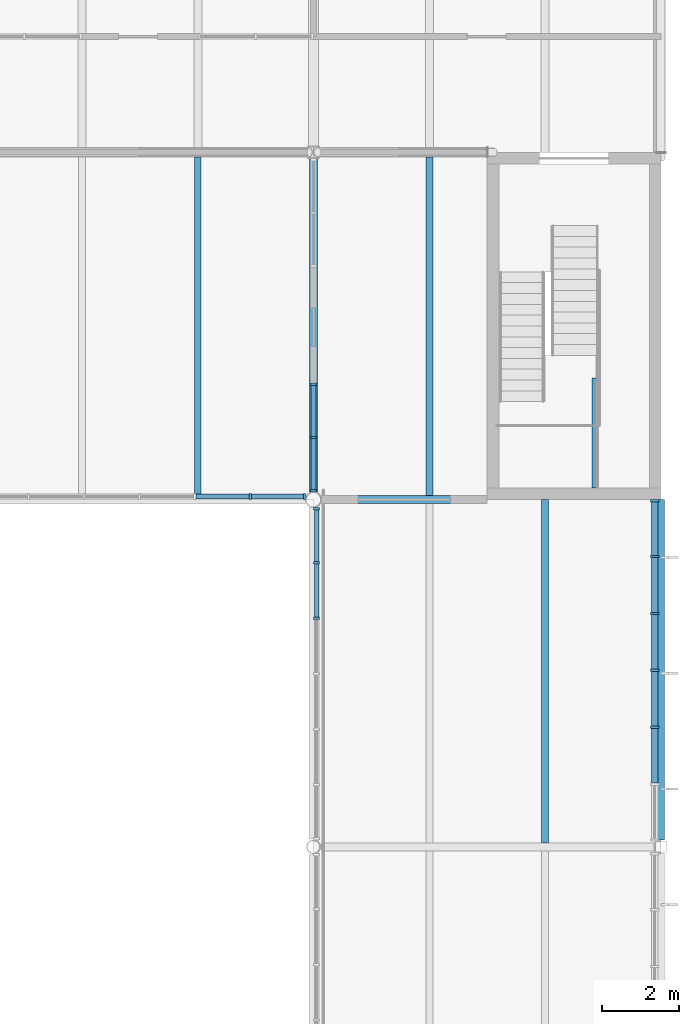
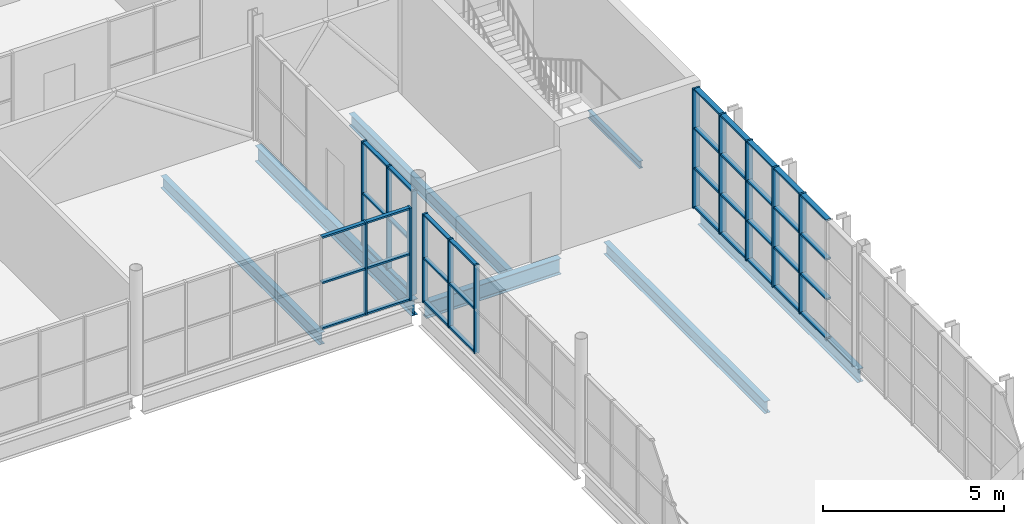
# One storey, part 20 of 57: 51 members, 7 beams, 4 elements without a shape of their own.
"""IFC4 building model written with IfcOpenShell, lengths in metres."""

import ifcopenshell
import ifcopenshell.guid

model = None  # the IFC model being written
_history = None  # IfcOwnerHistory: only IFC2X3 demands one
_inside = {}  # id of a spatial element -> (the spatial element, [elements in it])
_under = {}  # id of a project, library or spatial element -> (it, [spatial elements below it])
_declared = {}  # id of a project -> (the project, [libraries it declares])
_typed = {}  # id of a type object -> (the type object, [elements of that type])
_made_of = {}  # id of a material, layer set ... -> (it, [elements and type objects made of it])


def new_model(schema):
    """Start an empty IFC model of exactly this schema.

    Asked for "IFC4X3", IfcOpenShell would pick the latest addendum, in which some entities
    have other attributes; the version numbers below select the first issue.
    IFC2X3 requires an IfcOwnerHistory on every rooted entity: one is made here for all.
    """
    global model, _history
    if schema == "IFC4X3":
        model = ifcopenshell.file(schema_version=(4, 3, 0, 0))
    else:
        model = ifcopenshell.file(schema=schema)
    _inside.clear()
    _under.clear()
    _declared.clear()
    _typed.clear()
    _made_of.clear()
    _history = None
    if model.schema == "IFC2X3":
        org = make("IfcOrganization", Name="unknown")
        user = make(
            "IfcPersonAndOrganization",
            ThePerson=make("IfcPerson", FamilyName="unknown"),
            TheOrganization=org,
        )
        app = make(
            "IfcApplication",
            ApplicationDeveloper=org,
            Version="unknown",
            ApplicationFullName="unknown",
            ApplicationIdentifier="unknown",
        )
        _history = make(
            "IfcOwnerHistory",
            OwningUser=user,
            OwningApplication=app,
            ChangeAction="ADDED",
            CreationDate=0,
        )
    return model


def make(cls, **values):
    """One entity of the class cls with the attributes given. An attribute that is None is left unset."""
    return model.create_entity(
        cls, **{name: value for name, value in values.items() if value is not None}
    )


def rooted(cls, **values):
    """An entity with a GlobalId (a new one), such as an element, a storey or a relation."""
    return make(cls, GlobalId=ifcopenshell.guid.new(), OwnerHistory=_history, **values)


def si_unit(unit_type, name, prefix=None):
    """IfcSIUnit, for example si_unit("LENGTHUNIT", "METRE", prefix="MILLI")."""
    return make("IfcSIUnit", UnitType=unit_type, Prefix=prefix, Name=name)


def assignment(units):
    """IfcUnitAssignment: the units of a project."""
    return None if units is None else make("IfcUnitAssignment", Units=units)


def point(xyz):
    """IfcCartesianPoint."""
    return None if xyz is None else make("IfcCartesianPoint", Coordinates=xyz)


def direction(xyz):
    """IfcDirection."""
    return None if xyz is None else make("IfcDirection", DirectionRatios=xyz)


def frame(location, z_axis=None, x_axis=None):
    """IfcAxis2Placement3D, a coordinate frame: its origin and axes. An axis left out is left unset."""
    return make(
        "IfcAxis2Placement3D",
        Location=point(location),
        Axis=direction(z_axis),
        RefDirection=direction(x_axis),
    )


def frame_2d(location, x_axis=None):
    """IfcAxis2Placement2D, a coordinate frame in the plane: its origin and x axis."""
    return make(
        "IfcAxis2Placement2D", Location=point(location), RefDirection=direction(x_axis)
    )


def origin():
    """The frame at (0, 0, 0) with its axes left unset."""
    return frame((0.0, 0.0, 0.0))


def origin_2d():
    """The frame at (0, 0) in the plane with its x axis left unset."""
    return frame_2d((0.0, 0.0))


def place(relative_to, where):
    """IfcLocalPlacement: puts the frame where relative to a parent placement (None: the world)."""
    return make(
        "IfcLocalPlacement", PlacementRelTo=relative_to, RelativePlacement=where
    )


def context(
    kind, dimensions, precision=None, world=None, true_north=None, identifier=None
):
    """IfcGeometricRepresentationContext, for example the 3D "Model" context."""
    return make(
        "IfcGeometricRepresentationContext",
        ContextIdentifier=identifier,
        ContextType=kind,
        CoordinateSpaceDimension=dimensions,
        Precision=precision,
        WorldCoordinateSystem=world,
        TrueNorth=true_north,
    )


def subcontext(parent, identifier, kind, view, scale=None):
    """IfcGeometricRepresentationSubContext, for example "Body" below "Model"."""
    return make(
        "IfcGeometricRepresentationSubContext",
        ContextIdentifier=identifier,
        ContextType=kind,
        ParentContext=parent,
        TargetScale=scale,
        TargetView=view,
    )


def project(units=None, contexts=None):
    """IfcProject with its units and contexts."""
    return rooted(
        "IfcProject",
        Name="project",
        RepresentationContexts=contexts,
        UnitsInContext=assignment(units),
    )


def spatial(cls, under=None, at=None, **own):
    """A site, building, storey or space (cls), placed at a placement, below another one or the project."""
    s = rooted(cls, ObjectPlacement=at, **own)
    if under is not None:
        _under.setdefault(under.id(), (under, []))[1].append(s)
    return s


def profile(cls, at=None, kind="AREA", **sizes):
    """A parametric profile (cls). Its sizes go by their IFC names, for example OverallWidth=200.0."""
    return make(cls, ProfileType=kind, Position=at, **sizes)


def rectangle(**sizes):
    """IfcRectangleProfileDef."""
    return profile("IfcRectangleProfileDef", **sizes)


def i_section(**sizes):
    """IfcIShapeProfileDef."""
    return profile("IfcIShapeProfileDef", **sizes)


def extrude(swept, where, along, depth):
    """IfcExtrudedAreaSolid: the profile swept, set in the frame where, extruded along a direction by depth."""
    return make(
        "IfcExtrudedAreaSolid",
        SweptArea=swept,
        Position=where,
        ExtrudedDirection=direction(along),
        Depth=depth,
    )


def shape(context_of_items, identifier, shape_type, items):
    """IfcShapeRepresentation: the items that make up one representation, for example the "Body"."""
    return make(
        "IfcShapeRepresentation",
        ContextOfItems=context_of_items,
        RepresentationIdentifier=identifier,
        RepresentationType=shape_type,
        Items=items,
    )


def material(Name=None, Category=None):
    """IfcMaterial."""
    return make("IfcMaterial", Name=Name, Category=Category)


def layer(
    of_material, thickness, ventilated=None, Name=None, Category=None, Priority=None
):
    """IfcMaterialLayer: one layer of a wall or slab, of a material (None: an air gap)."""
    return make(
        "IfcMaterialLayer",
        Material=of_material,
        LayerThickness=thickness,
        IsVentilated=ventilated,
        Name=Name,
        Category=Category,
        Priority=Priority,
    )


def layer_set(layers, Name=None):
    """IfcMaterialLayerSet."""
    return make("IfcMaterialLayerSet", MaterialLayers=layers, LayerSetName=Name)


def material_profile(
    of_material, cross_section, Name=None, Category=None, Priority=None
):
    """IfcMaterialProfile: a cross section and its material."""
    return make(
        "IfcMaterialProfile",
        Name=Name,
        Material=of_material,
        Profile=cross_section,
        Priority=Priority,
        Category=Category,
    )


def profile_set(profiles, Name=None, composite=None):
    """IfcMaterialProfileSet."""
    return make(
        "IfcMaterialProfileSet",
        Name=Name,
        MaterialProfiles=profiles,
        CompositeProfile=composite,
    )


def made_of(thing, what):
    """Note that an element or type object is made of a material, layer set ...; save() writes the relation."""
    if what is not None:
        _made_of.setdefault(what.id(), (what, []))[1].append(thing)
    return thing


def type_object(cls, material=None, **own):
    """A type object (cls), such as IfcWallType, which elements share."""
    return made_of(rooted(cls, **own), material)


def element(
    cls,
    number,
    at=None,
    inside=None,
    cuts=None,
    type_object=None,
    material=None,
    context=None,
    identifier="Body",
    shape_type=None,
    held_by="IfcProductDefinitionShape",
    body=None,
    shapes=None,
    **own,
):
    """One element of the class cls, such as IfcWall. Its Tag is "e" and its number.

    at: its placement. inside: the storey or other place that contains it. cuts: it is an
    opening in that element (IfcRelVoidsElement). A single representation is given by context,
    identifier, shape_type and body (its items); several are given by shapes. held_by: the class
    of the entity that holds the representations. save() writes the other relations.
    """
    e = rooted(cls, Tag="e%d" % number, ObjectPlacement=at, **own)
    if body is not None:
        shapes = [shape(context, identifier, shape_type, body)]
    if shapes is not None:
        e.Representation = make(held_by, Representations=shapes)
    if inside is not None:
        _inside.setdefault(inside.id(), (inside, []))[1].append(e)
    if cuts is not None:
        rooted(
            "IfcRelVoidsElement", RelatingBuildingElement=cuts, RelatedOpeningElement=e
        )
    if type_object is not None:
        _typed.setdefault(type_object.id(), (type_object, []))[1].append(e)
    return made_of(e, material)


def aggregate(whole, parts):
    """IfcRelAggregates: a whole, such as a stair, and the parts it consists of."""
    return rooted("IfcRelAggregates", RelatingObject=whole, RelatedObjects=parts)


def save(model, path):
    """Write the relations noted so far, then the file.

    IfcRelAggregates (storeys below a building ...), IfcRelContainedInSpatialStructure (elements
    in a storey), IfcRelDefinesByType, IfcRelAssociatesMaterial and IfcRelDeclares: one each for
    every whole, place, type object, material and project.
    """
    for whole, parts in _under.values():
        aggregate(whole, parts)
    for where, things in _inside.values():
        rooted(
            "IfcRelContainedInSpatialStructure",
            RelatedElements=things,
            RelatingStructure=where,
        )
    for kind, things in _typed.values():
        rooted("IfcRelDefinesByType", RelatedObjects=things, RelatingType=kind)
    for what, things in _made_of.values():
        rooted("IfcRelAssociatesMaterial", RelatedObjects=things, RelatingMaterial=what)
    for by, libraries in _declared.values():
        rooted("IfcRelDeclares", RelatingContext=by, RelatedDefinitions=libraries)
    model.write(path)


model = new_model("IFC4")

# Units and contexts
model_context = context("Model", 3, precision=1e-05, world=origin(), true_north=direction((0.0, 1.0)))
body_context = subcontext(model_context, "Body", "Model", "MODEL_VIEW")
ifc_project = project(units=[si_unit("LENGTHUNIT", "METRE"), si_unit("AREAUNIT", "SQUARE_METRE"), si_unit("VOLUMEUNIT", "CUBIC_METRE"), si_unit("PLANEANGLEUNIT", "RADIAN"), si_unit("MASSUNIT", "GRAM", prefix="KILO")], contexts=[model_context])

# Site, building, storey
site_placement = place(None, origin())
site = spatial("IfcSite", under=ifc_project, at=site_placement, CompositionType="ELEMENT")
building_placement = place(site_placement, origin())
building = spatial("IfcBuilding", under=site, at=building_placement, Name="Halyard Row Museum", CompositionType="ELEMENT")
storey_placement = place(building_placement, frame((0.0, 0.0, 5.0)))
storey = spatial("IfcBuildingStorey", under=building, at=storey_placement, Name="L01", CompositionType="ELEMENT", Elevation=5.0)

# Curtain wall, members
ifc_material_1 = material(Name="Double glazed unit, low-emissivity", Category="glass")
ifc_layer_1 = layer(ifc_material_1, 0.219970703125)
ifc_layer_set_1 = layer_set([ifc_layer_1], Name="Double glazed unit, low-emissivity")
curtain_wall_type_1 = type_object("IfcCurtainWallType", Name="Curtain wall unitised 220 deep", PredefinedType="NOTDEFINED", material=ifc_layer_set_1)
curtain_wall_1_placement = place(storey_placement, origin())
curtain_wall_1 = element("IfcCurtainWall", 1, at=curtain_wall_1_placement, inside=storey, type_object=curtain_wall_type_1, Name="Curtain wall CW021", PredefinedType="NOTDEFINED")
ifc_material_2 = material(Name="Powder-coated aluminium section", Category="aluminium")
ifc_material_profile_1 = material_profile(ifc_material_2, rectangle(XDim=0.219970703125, YDim=0.06005859375, at=origin_2d()), Name="220x60 mullion")
ifc_profile_set_1 = profile_set([ifc_material_profile_1], Name="Powder-coated aluminium section")
member_type_1 = type_object("IfcMemberType", Name="Curtain wall mullion CM3 60 x 220", PredefinedType="MULLION", material=ifc_profile_set_1)
member_1_placement = place(storey_placement, frame((107.840087890625, 21.10009765625, 0.0), z_axis=(0.0, 0.0, 1.0), x_axis=(-1.0, 0.0, 0.0)))
member_1 = element("IfcMember", 2, at=member_1_placement, type_object=member_type_1, Name="CW021 mullion 3", PredefinedType="MULLION", context=body_context, shape_type="SweptSolid", body=[
    extrude(rectangle(XDim=0.219970703125, YDim=0.06005859375, at=origin_2d()), origin(), (0.0, 0.0, 1.0), 4.034912109375),
])
member_2_placement = place(storey_placement, frame((107.840087890625, 22.574951171875, 0.0), z_axis=(0.0, 0.0, 1.0), x_axis=(-1.0, 0.0, 0.0)))
member_2 = element("IfcMember", 3, at=member_2_placement, type_object=member_type_1, Name="CW021 mullion 4", PredefinedType="MULLION", context=body_context, shape_type="SweptSolid", body=[
    extrude(rectangle(XDim=0.219970703125, YDim=0.06005859375, at=origin_2d()), origin(), (0.0, 0.0, 1.0), 4.034912109375),
])
member_3_placement = place(storey_placement, frame((107.840087890625, 24.050048828125, 0.0), z_axis=(0.0, 0.0, 1.0), x_axis=(-1.0, 0.0, 0.0)))
member_3 = element("IfcMember", 4, at=member_3_placement, type_object=member_type_1, Name="CW021 mullion 5", PredefinedType="MULLION", context=body_context, shape_type="SweptSolid", body=[
    extrude(rectangle(XDim=0.219970703125, YDim=0.06005859375, at=origin_2d()), origin(), (0.0, 0.0, 1.0), 4.034912109375),
])
member_4_placement = place(storey_placement, frame((107.840087890625, 25.52490234375, 0.0), z_axis=(0.0, 0.0, 1.0), x_axis=(-1.0, 0.0, 0.0)))
member_4 = element("IfcMember", 5, at=member_4_placement, type_object=member_type_1, Name="CW021 mullion 6", PredefinedType="MULLION", context=body_context, shape_type="SweptSolid", body=[
    extrude(rectangle(XDim=0.219970703125, YDim=0.06005859375, at=origin_2d()), origin(), (0.0, 0.0, 1.0), 4.034912109375),
])
member_5_placement = place(storey_placement, frame((107.840087890625, 26.969970703125, 0.0), z_axis=(0.0, 0.0, 1.0), x_axis=(-1.0, 0.0, 0.0)))
member_5 = element("IfcMember", 6, at=member_5_placement, type_object=member_type_1, Name="CW021 mullion 7", PredefinedType="MULLION", context=body_context, shape_type="SweptSolid", body=[
    extrude(rectangle(XDim=0.219970703125, YDim=0.06005859375, at=origin_2d()), origin(), (0.0, 0.0, 1.0), 4.034912109375),
])

ifc_material_3 = material(Name="Fire-resisting laminated glazing", Category="glass")
ifc_layer_2 = layer(ifc_material_3, 0.159912109375)
ifc_layer_set_2 = layer_set([ifc_layer_2], Name="Fire-resisting laminated glazing")
curtain_wall_type_2 = type_object("IfcCurtainWallType", Name="Curtain wall atrium screen 160 deep", PredefinedType="NOTDEFINED", material=ifc_layer_set_2)
curtain_wall_2_placement = place(storey_placement, origin())
curtain_wall_2 = element("IfcCurtainWall", 7, at=curtain_wall_2_placement, inside=storey, type_object=curtain_wall_type_2, Name="Curtain wall CW079", PredefinedType="NOTDEFINED")
ifc_material_4 = material(Name="Powder-coated aluminium section", Category="aluminium")
ifc_material_profile_2 = material_profile(ifc_material_4, rectangle(XDim=0.159912109375, YDim=0.06005859375, at=origin_2d()), Name="160x60 mullion")
ifc_profile_set_2 = profile_set([ifc_material_profile_2], Name="Powder-coated aluminium section")
member_type_2 = type_object("IfcMemberType", Name="Curtain wall mullion CM5 60 x 160", PredefinedType="MULLION", material=ifc_profile_set_2)
member_6_placement = place(storey_placement, frame((99.080078125, 23.923828125, 0.0), z_axis=(0.0, 0.0, 1.0), x_axis=(-1.0, 0.0, 0.0)))
member_6 = element("IfcMember", 8, at=member_6_placement, type_object=member_type_2, Name="CW079 mullion 5", PredefinedType="MULLION", context=body_context, shape_type="SweptSolid", body=[
    extrude(rectangle(XDim=0.159912109375, YDim=0.06005859375, at=origin_2d()), origin(), (0.0, 0.0, 1.0), 2.985107421875),
])
member_7_placement = place(storey_placement, frame((99.080078125, 25.3603515625, 0.0), z_axis=(0.0, 0.0, 1.0), x_axis=(-1.0, 0.0, 0.0)))
member_7 = element("IfcMember", 9, at=member_7_placement, type_object=member_type_2, Name="CW079 mullion 6", PredefinedType="MULLION", context=body_context, shape_type="SweptSolid", body=[
    extrude(rectangle(XDim=0.159912109375, YDim=0.06005859375, at=origin_2d()), origin(), (0.0, 0.0, 1.0), 2.985107421875),
])
member_8_placement = place(storey_placement, frame((99.080078125, 26.766845703125, 0.0), z_axis=(0.0, 0.0, 1.0), x_axis=(-1.0, 0.0, 0.0)))
member_8 = element("IfcMember", 10, at=member_8_placement, type_object=member_type_2, Name="CW079 mullion 7", PredefinedType="MULLION", context=body_context, shape_type="SweptSolid", body=[
    extrude(rectangle(XDim=0.159912109375, YDim=0.06005859375, at=origin_2d()), origin(), (0.0, 0.0, 1.0), 2.985107421875),
])

curtain_wall_3_placement = place(storey_placement, origin())
curtain_wall_3 = element("IfcCurtainWall", 11, at=curtain_wall_3_placement, inside=storey, type_object=curtain_wall_type_2, Name="Curtain wall CW080", PredefinedType="NOTDEFINED")
member_9_placement = place(storey_placement, frame((98.766845703125, 27.080078125, 0.0), z_axis=(0.0, 0.0, 1.0), x_axis=(0.0, -1.0, 0.0)))
member_9 = element("IfcMember", 12, at=member_9_placement, type_object=member_type_2, Name="CW080 mullion 1", PredefinedType="MULLION", context=body_context, shape_type="SweptSolid", body=[
    extrude(rectangle(XDim=0.159912109375, YDim=0.06005859375, at=origin_2d()), origin(), (0.0, 0.0, 1.0), 3.12451171875),
])
member_10_placement = place(storey_placement, frame((97.3603515625, 27.080078125, 0.0), z_axis=(0.0, 0.0, 1.0), x_axis=(0.0, -1.0, 0.0)))
member_10 = element("IfcMember", 13, at=member_10_placement, type_object=member_type_2, Name="CW080 mullion 2", PredefinedType="MULLION", context=body_context, shape_type="SweptSolid", body=[
    extrude(rectangle(XDim=0.159912109375, YDim=0.06005859375, at=origin_2d()), origin(), (0.0, 0.0, 1.0), 3.12451171875),
])

curtain_wall_4_placement = place(storey_placement, origin())
curtain_wall_4 = element("IfcCurtainWall", 14, at=curtain_wall_4_placement, inside=storey, type_object=curtain_wall_type_2, Name="Curtain wall CW146", PredefinedType="NOTDEFINED")
member_11_placement = place(storey_placement, frame((99.0, 27.233154296875, 0.0), z_axis=(0.0, 0.0, 1.0), x_axis=(-1.0, 0.0, 0.0)))
member_11 = element("IfcMember", 15, at=member_11_placement, type_object=member_type_2, Name="CW146 mullion 1", PredefinedType="MULLION", context=body_context, shape_type="SweptSolid", body=[
    extrude(rectangle(XDim=0.159912109375, YDim=0.06005859375, at=origin_2d()), origin(), (0.0, 0.0, 1.0), 3.501953125),
])
member_12_placement = place(storey_placement, frame((99.0, 28.611572265625, 0.0), z_axis=(0.0, 0.0, 1.0), x_axis=(-1.0, 0.0, 0.0)))
member_12 = element("IfcMember", 16, at=member_12_placement, type_object=member_type_2, Name="CW146 mullion 2", PredefinedType="MULLION", context=body_context, shape_type="SweptSolid", body=[
    extrude(rectangle(XDim=0.159912109375, YDim=0.06005859375, at=origin_2d()), origin(), (0.0, 0.0, 1.0), 3.501953125),
])
member_13_placement = place(storey_placement, frame((99.0, 29.98974609375, 0.0), z_axis=(0.0, 0.0, 1.0), x_axis=(-1.0, 0.0, 0.0)))
member_13 = element("IfcMember", 17, at=member_13_placement, type_object=member_type_2, Name="CW146 mullion 3", PredefinedType="MULLION", context=body_context, shape_type="SweptSolid", body=[
    extrude(rectangle(XDim=0.159912109375, YDim=0.06005859375, at=origin_2d()), origin(), (0.0, 0.0, 1.0), 3.501953125),
])

# Member
ifc_material_5 = material(Name="Powder-coated aluminium section", Category="aluminium")
ifc_material_profile_3 = material_profile(ifc_material_5, rectangle(XDim=0.159912109375, YDim=0.06005859375, at=origin_2d()), Name="160x60 transom")
ifc_profile_set_3 = profile_set([ifc_material_profile_3], Name="Powder-coated aluminium section")
member_type_3 = type_object("IfcMemberType", Name="Curtain wall transom CT3 60 x 160", PredefinedType="USERDEFINED", material=ifc_profile_set_3)
member_14_placement = place(storey_placement, frame((107.840087890625, 19.655029296875, 0.030029296875), z_axis=(0.0, 1.0, 0.0), x_axis=(-1.0, 0.0, 0.0)))
member_14 = element("IfcMember", 18, at=member_14_placement, type_object=member_type_3, Name="CW021 transom 2.1", ObjectType="TRANSOM", PredefinedType="USERDEFINED", context=body_context, shape_type="SweptSolid", body=[
    extrude(rectangle(XDim=0.159912109375, YDim=0.06005859375, at=origin_2d()), origin(), (0.0, 0.0, 1.0), 1.4150390625),
])

member_15_placement = place(storey_placement, frame((107.840087890625, 19.655029296875, 1.344970703125), z_axis=(0.0, 1.0, 0.0), x_axis=(-1.0, 0.0, 0.0)))
member_15 = element("IfcMember", 19, at=member_15_placement, type_object=member_type_3, Name="CW021 transom 2.2", ObjectType="TRANSOM", PredefinedType="USERDEFINED", context=body_context, shape_type="SweptSolid", body=[
    extrude(rectangle(XDim=0.159912109375, YDim=0.06005859375, at=origin_2d()), origin(), (0.0, 0.0, 1.0), 1.4150390625),
])

member_16_placement = place(storey_placement, frame((107.840087890625, 19.655029296875, 2.68994140625), z_axis=(0.0, 1.0, 0.0), x_axis=(-1.0, 0.0, 0.0)))
member_16 = element("IfcMember", 20, at=member_16_placement, type_object=member_type_3, Name="CW021 transom 2.3", ObjectType="TRANSOM", PredefinedType="USERDEFINED", context=body_context, shape_type="SweptSolid", body=[
    extrude(rectangle(XDim=0.159912109375, YDim=0.06005859375, at=origin_2d()), origin(), (0.0, 0.0, 1.0), 1.4150390625),
])

member_17_placement = place(storey_placement, frame((107.840087890625, 19.655029296875, 4.0048828125), z_axis=(0.0, 1.0, 0.0), x_axis=(-1.0, 0.0, 0.0)))
member_17 = element("IfcMember", 21, at=member_17_placement, type_object=member_type_3, Name="CW021 transom 2.4", ObjectType="TRANSOM", PredefinedType="USERDEFINED", context=body_context, shape_type="SweptSolid", body=[
    extrude(rectangle(XDim=0.159912109375, YDim=0.06005859375, at=origin_2d()), origin(), (0.0, 0.0, 1.0), 1.4150390625),
])

member_18_placement = place(storey_placement, frame((107.840087890625, 21.1298828125, 0.030029296875), z_axis=(0.0, 1.0, 0.0), x_axis=(-1.0, 0.0, 0.0)))
member_18 = element("IfcMember", 22, at=member_18_placement, type_object=member_type_3, Name="CW021 transom 3.1", ObjectType="TRANSOM", PredefinedType="USERDEFINED", context=body_context, shape_type="SweptSolid", body=[
    extrude(rectangle(XDim=0.159912109375, YDim=0.06005859375, at=origin_2d()), origin(), (0.0, 0.0, 1.0), 1.4150390625),
])

member_19_placement = place(storey_placement, frame((107.840087890625, 21.1298828125, 1.344970703125), z_axis=(0.0, 1.0, 0.0), x_axis=(-1.0, 0.0, 0.0)))
member_19 = element("IfcMember", 23, at=member_19_placement, type_object=member_type_3, Name="CW021 transom 3.2", ObjectType="TRANSOM", PredefinedType="USERDEFINED", context=body_context, shape_type="SweptSolid", body=[
    extrude(rectangle(XDim=0.159912109375, YDim=0.06005859375, at=origin_2d()), origin(), (0.0, 0.0, 1.0), 1.4150390625),
])

member_20_placement = place(storey_placement, frame((107.840087890625, 21.1298828125, 2.68994140625), z_axis=(0.0, 1.0, 0.0), x_axis=(-1.0, 0.0, 0.0)))
member_20 = element("IfcMember", 24, at=member_20_placement, type_object=member_type_3, Name="CW021 transom 3.3", ObjectType="TRANSOM", PredefinedType="USERDEFINED", context=body_context, shape_type="SweptSolid", body=[
    extrude(rectangle(XDim=0.159912109375, YDim=0.06005859375, at=origin_2d()), origin(), (0.0, 0.0, 1.0), 1.4150390625),
])

member_21_placement = place(storey_placement, frame((107.840087890625, 21.1298828125, 4.0048828125), z_axis=(0.0, 1.0, 0.0), x_axis=(-1.0, 0.0, 0.0)))
member_21 = element("IfcMember", 25, at=member_21_placement, type_object=member_type_3, Name="CW021 transom 3.4", ObjectType="TRANSOM", PredefinedType="USERDEFINED", context=body_context, shape_type="SweptSolid", body=[
    extrude(rectangle(XDim=0.159912109375, YDim=0.06005859375, at=origin_2d()), origin(), (0.0, 0.0, 1.0), 1.4150390625),
])

member_22_placement = place(storey_placement, frame((107.840087890625, 22.60498046875, 0.030029296875), z_axis=(0.0, 1.0, 0.0), x_axis=(-1.0, 0.0, 0.0)))
member_22 = element("IfcMember", 26, at=member_22_placement, type_object=member_type_3, Name="CW021 transom 4.1", ObjectType="TRANSOM", PredefinedType="USERDEFINED", context=body_context, shape_type="SweptSolid", body=[
    extrude(rectangle(XDim=0.159912109375, YDim=0.06005859375, at=origin_2d()), origin(), (0.0, 0.0, 1.0), 1.4150390625),
])

member_23_placement = place(storey_placement, frame((107.840087890625, 22.60498046875, 1.344970703125), z_axis=(0.0, 1.0, 0.0), x_axis=(-1.0, 0.0, 0.0)))
member_23 = element("IfcMember", 27, at=member_23_placement, type_object=member_type_3, Name="CW021 transom 4.2", ObjectType="TRANSOM", PredefinedType="USERDEFINED", context=body_context, shape_type="SweptSolid", body=[
    extrude(rectangle(XDim=0.159912109375, YDim=0.06005859375, at=origin_2d()), origin(), (0.0, 0.0, 1.0), 1.4150390625),
])

member_24_placement = place(storey_placement, frame((107.840087890625, 22.60498046875, 2.68994140625), z_axis=(0.0, 1.0, 0.0), x_axis=(-1.0, 0.0, 0.0)))
member_24 = element("IfcMember", 28, at=member_24_placement, type_object=member_type_3, Name="CW021 transom 4.3", ObjectType="TRANSOM", PredefinedType="USERDEFINED", context=body_context, shape_type="SweptSolid", body=[
    extrude(rectangle(XDim=0.159912109375, YDim=0.06005859375, at=origin_2d()), origin(), (0.0, 0.0, 1.0), 1.4150390625),
])

member_25_placement = place(storey_placement, frame((107.840087890625, 22.60498046875, 4.0048828125), z_axis=(0.0, 1.0, 0.0), x_axis=(-1.0, 0.0, 0.0)))
member_25 = element("IfcMember", 29, at=member_25_placement, type_object=member_type_3, Name="CW021 transom 4.4", ObjectType="TRANSOM", PredefinedType="USERDEFINED", context=body_context, shape_type="SweptSolid", body=[
    extrude(rectangle(XDim=0.159912109375, YDim=0.06005859375, at=origin_2d()), origin(), (0.0, 0.0, 1.0), 1.4150390625),
])

member_26_placement = place(storey_placement, frame((107.840087890625, 24.080078125, 0.030029296875), z_axis=(0.0, 1.0, 0.0), x_axis=(-1.0, 0.0, 0.0)))
member_26 = element("IfcMember", 30, at=member_26_placement, type_object=member_type_3, Name="CW021 transom 5.1", ObjectType="TRANSOM", PredefinedType="USERDEFINED", context=body_context, shape_type="SweptSolid", body=[
    extrude(rectangle(XDim=0.159912109375, YDim=0.06005859375, at=origin_2d()), origin(), (0.0, 0.0, 1.0), 1.4150390625),
])

member_27_placement = place(storey_placement, frame((107.840087890625, 24.080078125, 1.344970703125), z_axis=(0.0, 1.0, 0.0), x_axis=(-1.0, 0.0, 0.0)))
member_27 = element("IfcMember", 31, at=member_27_placement, type_object=member_type_3, Name="CW021 transom 5.2", ObjectType="TRANSOM", PredefinedType="USERDEFINED", context=body_context, shape_type="SweptSolid", body=[
    extrude(rectangle(XDim=0.159912109375, YDim=0.06005859375, at=origin_2d()), origin(), (0.0, 0.0, 1.0), 1.4150390625),
])

member_28_placement = place(storey_placement, frame((107.840087890625, 24.080078125, 2.68994140625), z_axis=(0.0, 1.0, 0.0), x_axis=(-1.0, 0.0, 0.0)))
member_28 = element("IfcMember", 32, at=member_28_placement, type_object=member_type_3, Name="CW021 transom 5.3", ObjectType="TRANSOM", PredefinedType="USERDEFINED", context=body_context, shape_type="SweptSolid", body=[
    extrude(rectangle(XDim=0.159912109375, YDim=0.06005859375, at=origin_2d()), origin(), (0.0, 0.0, 1.0), 1.4150390625),
])

member_29_placement = place(storey_placement, frame((107.840087890625, 24.080078125, 4.0048828125), z_axis=(0.0, 1.0, 0.0), x_axis=(-1.0, 0.0, 0.0)))
member_29 = element("IfcMember", 33, at=member_29_placement, type_object=member_type_3, Name="CW021 transom 5.4", ObjectType="TRANSOM", PredefinedType="USERDEFINED", context=body_context, shape_type="SweptSolid", body=[
    extrude(rectangle(XDim=0.159912109375, YDim=0.06005859375, at=origin_2d()), origin(), (0.0, 0.0, 1.0), 1.4150390625),
])

member_30_placement = place(storey_placement, frame((107.840087890625, 25.554931640625, 0.030029296875), z_axis=(0.0, 1.0, 0.0), x_axis=(-1.0, 0.0, 0.0)))
member_30 = element("IfcMember", 34, at=member_30_placement, type_object=member_type_3, Name="CW021 transom 6.1", ObjectType="TRANSOM", PredefinedType="USERDEFINED", context=body_context, shape_type="SweptSolid", body=[
    extrude(rectangle(XDim=0.159912109375, YDim=0.06005859375, at=origin_2d()), origin(), (0.0, 0.0, 1.0), 1.385009765625),
])

member_31_placement = place(storey_placement, frame((107.840087890625, 25.554931640625, 1.344970703125), z_axis=(0.0, 1.0, 0.0), x_axis=(-1.0, 0.0, 0.0)))
member_31 = element("IfcMember", 35, at=member_31_placement, type_object=member_type_3, Name="CW021 transom 6.2", ObjectType="TRANSOM", PredefinedType="USERDEFINED", context=body_context, shape_type="SweptSolid", body=[
    extrude(rectangle(XDim=0.159912109375, YDim=0.06005859375, at=origin_2d()), origin(), (0.0, 0.0, 1.0), 1.385009765625),
])

member_32_placement = place(storey_placement, frame((107.840087890625, 25.554931640625, 2.68994140625), z_axis=(0.0, 1.0, 0.0), x_axis=(-1.0, 0.0, 0.0)))
member_32 = element("IfcMember", 36, at=member_32_placement, type_object=member_type_3, Name="CW021 transom 6.3", ObjectType="TRANSOM", PredefinedType="USERDEFINED", context=body_context, shape_type="SweptSolid", body=[
    extrude(rectangle(XDim=0.159912109375, YDim=0.06005859375, at=origin_2d()), origin(), (0.0, 0.0, 1.0), 1.385009765625),
])

member_33_placement = place(storey_placement, frame((107.840087890625, 25.554931640625, 4.0048828125), z_axis=(0.0, 1.0, 0.0), x_axis=(-1.0, 0.0, 0.0)))
member_33 = element("IfcMember", 37, at=member_33_placement, type_object=member_type_3, Name="CW021 transom 6.4", ObjectType="TRANSOM", PredefinedType="USERDEFINED", context=body_context, shape_type="SweptSolid", body=[
    extrude(rectangle(XDim=0.159912109375, YDim=0.06005859375, at=origin_2d()), origin(), (0.0, 0.0, 1.0), 1.385009765625),
])

aggregate(curtain_wall_1, [member_1, member_2, member_3, member_4, member_5, member_14, member_15, member_16, member_17, member_18, member_19, member_20, member_21, member_22, member_23, member_24, member_25, member_26, member_27, member_28, member_29, member_30, member_31, member_32, member_33])

ifc_material_6 = material(Name="Powder-coated aluminium section", Category="aluminium")
ifc_material_profile_4 = material_profile(ifc_material_6, rectangle(XDim=0.1201171875, YDim=0.06005859375, at=origin_2d()), Name="120x60 transom")
ifc_profile_set_4 = profile_set([ifc_material_profile_4], Name="Powder-coated aluminium section")
member_type_4 = type_object("IfcMemberType", Name="Curtain wall transom CT5 60 x 120", PredefinedType="USERDEFINED", material=ifc_profile_set_4)
member_34_placement = place(storey_placement, frame((99.080078125, 23.953857421875, 0.030029296875), z_axis=(0.0, 1.0, 0.0), x_axis=(-1.0, 0.0, 0.0)))
member_34 = element("IfcMember", 38, at=member_34_placement, type_object=member_type_4, Name="CW079 transom 5.1", ObjectType="TRANSOM", PredefinedType="USERDEFINED", context=body_context, shape_type="SweptSolid", body=[
    extrude(rectangle(XDim=0.1201171875, YDim=0.06005859375, at=origin_2d()), origin(), (0.0, 0.0, 1.0), 1.37646484375),
])

member_35_placement = place(storey_placement, frame((99.080078125, 23.953857421875, 1.492431640625), z_axis=(0.0, 1.0, 0.0), x_axis=(-1.0, 0.0, 0.0)))
member_35 = element("IfcMember", 39, at=member_35_placement, type_object=member_type_4, Name="CW079 transom 5.2", ObjectType="TRANSOM", PredefinedType="USERDEFINED", context=body_context, shape_type="SweptSolid", body=[
    extrude(rectangle(XDim=0.1201171875, YDim=0.06005859375, at=origin_2d()), origin(), (0.0, 0.0, 1.0), 1.37646484375),
])

member_36_placement = place(storey_placement, frame((99.080078125, 23.953857421875, 2.955078125), z_axis=(0.0, 1.0, 0.0), x_axis=(-1.0, 0.0, 0.0)))
member_36 = element("IfcMember", 40, at=member_36_placement, type_object=member_type_4, Name="CW079 transom 5.3", ObjectType="TRANSOM", PredefinedType="USERDEFINED", context=body_context, shape_type="SweptSolid", body=[
    extrude(rectangle(XDim=0.1201171875, YDim=0.06005859375, at=origin_2d()), origin(), (0.0, 0.0, 1.0), 1.37646484375),
])

member_37_placement = place(storey_placement, frame((99.080078125, 25.390380859375, 0.030029296875), z_axis=(0.0, 1.0, 0.0), x_axis=(-1.0, 0.0, 0.0)))
member_37 = element("IfcMember", 41, at=member_37_placement, type_object=member_type_4, Name="CW079 transom 6.1", ObjectType="TRANSOM", PredefinedType="USERDEFINED", context=body_context, shape_type="SweptSolid", body=[
    extrude(rectangle(XDim=0.1201171875, YDim=0.06005859375, at=origin_2d()), origin(), (0.0, 0.0, 1.0), 1.346435546875),
])

member_38_placement = place(storey_placement, frame((99.080078125, 25.390380859375, 1.492431640625), z_axis=(0.0, 1.0, 0.0), x_axis=(-1.0, 0.0, 0.0)))
member_38 = element("IfcMember", 42, at=member_38_placement, type_object=member_type_4, Name="CW079 transom 6.2", ObjectType="TRANSOM", PredefinedType="USERDEFINED", context=body_context, shape_type="SweptSolid", body=[
    extrude(rectangle(XDim=0.1201171875, YDim=0.06005859375, at=origin_2d()), origin(), (0.0, 0.0, 1.0), 1.346435546875),
])

member_39_placement = place(storey_placement, frame((99.080078125, 25.390380859375, 2.955078125), z_axis=(0.0, 1.0, 0.0), x_axis=(-1.0, 0.0, 0.0)))
member_39 = element("IfcMember", 43, at=member_39_placement, type_object=member_type_4, Name="CW079 transom 6.3", ObjectType="TRANSOM", PredefinedType="USERDEFINED", context=body_context, shape_type="SweptSolid", body=[
    extrude(rectangle(XDim=0.1201171875, YDim=0.06005859375, at=origin_2d()), origin(), (0.0, 0.0, 1.0), 1.346435546875),
])

aggregate(curtain_wall_2, [member_6, member_7, member_8, member_34, member_35, member_36, member_37, member_38, member_39])

member_40_placement = place(storey_placement, frame((98.73681640625, 27.080078125, 0.030029296875), z_axis=(-1.0, 0.0, 0.0), x_axis=(0.0, -1.0, 0.0)))
member_40 = element("IfcMember", 44, at=member_40_placement, type_object=member_type_4, Name="CW080 transom 1.1", ObjectType="TRANSOM", PredefinedType="USERDEFINED", context=body_context, shape_type="SweptSolid", body=[
    extrude(rectangle(XDim=0.1201171875, YDim=0.06005859375, at=origin_2d()), origin(), (0.0, 0.0, 1.0), 1.346435546875),
])

member_41_placement = place(storey_placement, frame((98.73681640625, 27.080078125, 1.562255859375), z_axis=(-1.0, 0.0, 0.0), x_axis=(0.0, -1.0, 0.0)))
member_41 = element("IfcMember", 45, at=member_41_placement, type_object=member_type_4, Name="CW080 transom 1.2", ObjectType="TRANSOM", PredefinedType="USERDEFINED", context=body_context, shape_type="SweptSolid", body=[
    extrude(rectangle(XDim=0.1201171875, YDim=0.06005859375, at=origin_2d()), origin(), (0.0, 0.0, 1.0), 1.346435546875),
])

member_42_placement = place(storey_placement, frame((98.73681640625, 27.080078125, 3.094482421875), z_axis=(-1.0, 0.0, 0.0), x_axis=(0.0, -1.0, 0.0)))
member_42 = element("IfcMember", 46, at=member_42_placement, type_object=member_type_4, Name="CW080 transom 1.3", ObjectType="TRANSOM", PredefinedType="USERDEFINED", context=body_context, shape_type="SweptSolid", body=[
    extrude(rectangle(XDim=0.1201171875, YDim=0.06005859375, at=origin_2d()), origin(), (0.0, 0.0, 1.0), 1.346435546875),
])

member_43_placement = place(storey_placement, frame((97.330322265625, 27.080078125, 0.030029296875), z_axis=(-1.0, 0.0, 0.0), x_axis=(0.0, -1.0, 0.0)))
member_43 = element("IfcMember", 47, at=member_43_placement, type_object=member_type_4, Name="CW080 transom 2.1", ObjectType="TRANSOM", PredefinedType="USERDEFINED", context=body_context, shape_type="SweptSolid", body=[
    extrude(rectangle(XDim=0.1201171875, YDim=0.06005859375, at=origin_2d()), origin(), (0.0, 0.0, 1.0), 1.37646484375),
])

member_44_placement = place(storey_placement, frame((97.330322265625, 27.080078125, 1.562255859375), z_axis=(-1.0, 0.0, 0.0), x_axis=(0.0, -1.0, 0.0)))
member_44 = element("IfcMember", 48, at=member_44_placement, type_object=member_type_4, Name="CW080 transom 2.2", ObjectType="TRANSOM", PredefinedType="USERDEFINED", context=body_context, shape_type="SweptSolid", body=[
    extrude(rectangle(XDim=0.1201171875, YDim=0.06005859375, at=origin_2d()), origin(), (0.0, 0.0, 1.0), 1.37646484375),
])

member_45_placement = place(storey_placement, frame((97.330322265625, 27.080078125, 3.094482421875), z_axis=(-1.0, 0.0, 0.0), x_axis=(0.0, -1.0, 0.0)))
member_45 = element("IfcMember", 49, at=member_45_placement, type_object=member_type_4, Name="CW080 transom 2.3", ObjectType="TRANSOM", PredefinedType="USERDEFINED", context=body_context, shape_type="SweptSolid", body=[
    extrude(rectangle(XDim=0.1201171875, YDim=0.06005859375, at=origin_2d()), origin(), (0.0, 0.0, 1.0), 1.37646484375),
])

aggregate(curtain_wall_3, [member_9, member_10, member_40, member_41, member_42, member_43, member_44, member_45])

member_46_placement = place(storey_placement, frame((99.0, 27.26318359375, 0.030029296875), z_axis=(0.0, 1.0, 0.0), x_axis=(-1.0, 0.0, 0.0)))
member_46 = element("IfcMember", 50, at=member_46_placement, type_object=member_type_4, Name="CW146 transom 1.1", ObjectType="TRANSOM", PredefinedType="USERDEFINED", context=body_context, shape_type="SweptSolid", body=[
    extrude(rectangle(XDim=0.1201171875, YDim=0.06005859375, at=origin_2d()), origin(), (0.0, 0.0, 1.0), 1.318359375),
])

member_47_placement = place(storey_placement, frame((99.0, 27.26318359375, 1.7509765625), z_axis=(0.0, 1.0, 0.0), x_axis=(-1.0, 0.0, 0.0)))
member_47 = element("IfcMember", 51, at=member_47_placement, type_object=member_type_4, Name="CW146 transom 1.2", ObjectType="TRANSOM", PredefinedType="USERDEFINED", context=body_context, shape_type="SweptSolid", body=[
    extrude(rectangle(XDim=0.1201171875, YDim=0.06005859375, at=origin_2d()), origin(), (0.0, 0.0, 1.0), 1.318359375),
])

member_48_placement = place(storey_placement, frame((99.0, 27.26318359375, 3.471923828125), z_axis=(0.0, 1.0, 0.0), x_axis=(-1.0, 0.0, 0.0)))
member_48 = element("IfcMember", 52, at=member_48_placement, type_object=member_type_4, Name="CW146 transom 1.3", ObjectType="TRANSOM", PredefinedType="USERDEFINED", context=body_context, shape_type="SweptSolid", body=[
    extrude(rectangle(XDim=0.1201171875, YDim=0.06005859375, at=origin_2d()), origin(), (0.0, 0.0, 1.0), 1.318359375),
])

member_49_placement = place(storey_placement, frame((99.0, 28.6416015625, 0.030029296875), z_axis=(0.0, 1.0, 0.0), x_axis=(-1.0, 0.0, 0.0)))
member_49 = element("IfcMember", 53, at=member_49_placement, type_object=member_type_4, Name="CW146 transom 2.1", ObjectType="TRANSOM", PredefinedType="USERDEFINED", context=body_context, shape_type="SweptSolid", body=[
    extrude(rectangle(XDim=0.1201171875, YDim=0.06005859375, at=origin_2d()), origin(), (0.0, 0.0, 1.0), 1.318115234375),
])

member_50_placement = place(storey_placement, frame((99.0, 28.6416015625, 1.7509765625), z_axis=(0.0, 1.0, 0.0), x_axis=(-1.0, 0.0, 0.0)))
member_50 = element("IfcMember", 54, at=member_50_placement, type_object=member_type_4, Name="CW146 transom 2.2", ObjectType="TRANSOM", PredefinedType="USERDEFINED", context=body_context, shape_type="SweptSolid", body=[
    extrude(rectangle(XDim=0.1201171875, YDim=0.06005859375, at=origin_2d()), origin(), (0.0, 0.0, 1.0), 1.318115234375),
])

member_51_placement = place(storey_placement, frame((99.0, 28.6416015625, 3.471923828125), z_axis=(0.0, 1.0, 0.0), x_axis=(-1.0, 0.0, 0.0)))
member_51 = element("IfcMember", 55, at=member_51_placement, type_object=member_type_4, Name="CW146 transom 2.3", ObjectType="TRANSOM", PredefinedType="USERDEFINED", context=body_context, shape_type="SweptSolid", body=[
    extrude(rectangle(XDim=0.1201171875, YDim=0.06005859375, at=origin_2d()), origin(), (0.0, 0.0, 1.0), 1.318115234375),
])

aggregate(curtain_wall_4, [member_11, member_12, member_13, member_46, member_47, member_48, member_49, member_50, member_51])

# Beams
ifc_material_7 = material(Name="Steel Grade 300", Category="steel")
ifc_material_profile_5 = material_profile(ifc_material_7, i_section(OverallWidth=0.18994140625, OverallDepth=0.45751953125, WebThickness=0.009033203125, FlangeThickness=0.014404296875, FilletRadius=0.011474609375, at=origin_2d()), Name="460UB74.6")
ifc_profile_set_5 = profile_set([ifc_material_profile_5], Name="Steel Grade 300")
beam_type_1 = type_object("IfcBeamType", Name="Edge beam 460UB74.6", PredefinedType="BEAM", material=ifc_profile_set_5)
beam_1_placement = place(storey_placement, frame((108.0, 18.175048828125, -0.393798828125), z_axis=(0.0, 1.0, 0.0), x_axis=(-1.0, 0.0, 0.0)))
element("IfcBeam", 56, at=beam_1_placement, inside=storey, type_object=beam_type_1, Name="Beam L01-082", PredefinedType="BEAM", context=body_context, shape_type="SweptSolid", body=[
    extrude(i_section(OverallWidth=0.18994140625, OverallDepth=0.45751953125, WebThickness=0.009033203125, FlangeThickness=0.014404296875, FilletRadius=0.011474609375, at=origin_2d()), origin(), (0.0, 0.0, 1.0), 8.824951171875),
])
ifc_material_8 = material(Name="Steel Grade 300", Category="steel")
ifc_material_profile_6 = material_profile(ifc_material_8, i_section(OverallWidth=0.208984375, OverallDepth=0.532958984375, WebThickness=0.01025390625, FlangeThickness=0.015625, FilletRadius=0.013916015625, at=origin_2d()), Name="530UB92.4")
ifc_profile_set_6 = profile_set([ifc_material_profile_6], Name="Steel Grade 300")
beam_type_2 = type_object("IfcBeamType", Name="Girder beam 530UB92.4", PredefinedType="BEAM", material=ifc_profile_set_6)
beam_2_placement = place(storey_placement, frame((99.203125, 27.0, -0.431396484375), z_axis=(1.0, 0.0, 0.0), x_axis=(0.0, 1.0, 0.0)))
element("IfcBeam", 57, at=beam_2_placement, inside=storey, type_object=beam_type_2, Name="Beam L01-025", PredefinedType="BEAM", context=body_context, shape_type="SweptSolid", body=[
    extrude(i_section(OverallWidth=0.208984375, OverallDepth=0.532958984375, WebThickness=0.01025390625, FlangeThickness=0.015625, FilletRadius=0.013916015625, at=origin_2d()), origin(), (0.0, 0.0, 1.0), 4.296875),
])
beam_3_placement = place(storey_placement, frame((99.0, 27.203125, -0.431396484375), z_axis=(0.0, 1.0, 0.0), x_axis=(-1.0, 0.0, 0.0)))
element("IfcBeam", 58, at=beam_3_placement, inside=storey, type_object=beam_type_2, Name="Beam L01-078", PredefinedType="BEAM", context=body_context, shape_type="SweptSolid", body=[
    extrude(i_section(OverallWidth=0.208984375, OverallDepth=0.532958984375, WebThickness=0.01025390625, FlangeThickness=0.015625, FilletRadius=0.013916015625, at=origin_2d()), origin(), (0.0, 0.0, 1.0), 8.62744140625),
])
ifc_material_9 = material(Name="Steel Grade 300", Category="steel")
ifc_material_profile_7 = material_profile(ifc_material_9, i_section(OverallWidth=0.1240234375, OverallDepth=0.248046875, WebThickness=0.0048828125, FlangeThickness=0.008056640625, FilletRadius=0.011962890625, at=origin_2d()), Name="250UB25.7")
ifc_profile_set_7 = profile_set([ifc_material_profile_7], Name="Steel Grade 300")
beam_type_3 = type_object("IfcBeamType", Name="Landing trimmer 250UB25.7", PredefinedType="BEAM", material=ifc_profile_set_7)
beam_4_placement = place(storey_placement, frame((106.278076171875, 27.297119140625, 1.77587890625), z_axis=(0.0, 1.0, 0.0), x_axis=(-1.0, 0.0, 0.0)))
element("IfcBeam", 59, at=beam_4_placement, inside=storey, type_object=beam_type_3, Name="Landing ledger K2C L01 1", PredefinedType="BEAM", context=body_context, shape_type="SweptSolid", body=[
    extrude(i_section(OverallWidth=0.1240234375, OverallDepth=0.248046875, WebThickness=0.0048828125, FlangeThickness=0.008056640625, FilletRadius=0.011962890625, at=origin_2d()), origin(), (0.0, 0.0, 1.0), 2.852783203125),
])
ifc_material_10 = material(Name="Steel Grade 300", Category="steel")
ifc_material_profile_8 = material_profile(ifc_material_10, i_section(OverallWidth=0.177978515625, OverallDepth=0.406494140625, WebThickness=0.0078125, FlangeThickness=0.0126953125, FilletRadius=0.011474609375, at=origin_2d()), Name="410UB59.7")
ifc_profile_set_8 = profile_set([ifc_material_profile_8], Name="Steel Grade 300")
beam_type_4 = type_object("IfcBeamType", Name="Secondary beam 410UB59.7", PredefinedType="BEAM", material=ifc_profile_set_8)
beam_5_placement = place(storey_placement, frame((105.0, 18.1044921875, -0.3681640625), z_axis=(0.0, 1.0, 0.0), x_axis=(-1.0, 0.0, 0.0)))
element("IfcBeam", 60, at=beam_5_placement, inside=storey, type_object=beam_type_4, Name="Beam L01-110", PredefinedType="BEAM", context=body_context, shape_type="SweptSolid", body=[
    extrude(i_section(OverallWidth=0.177978515625, OverallDepth=0.406494140625, WebThickness=0.0078125, FlangeThickness=0.0126953125, FilletRadius=0.011474609375, at=origin_2d()), origin(), (0.0, 0.0, 1.0), 8.8955078125),
])
beam_6_placement = place(storey_placement, frame((102.0, 27.1044921875, -0.3681640625), z_axis=(0.0, 1.0, 0.0), x_axis=(-1.0, 0.0, 0.0)))
element("IfcBeam", 61, at=beam_6_placement, inside=storey, type_object=beam_type_4, Name="Beam L01-120", PredefinedType="BEAM", context=body_context, shape_type="SweptSolid", body=[
    extrude(i_section(OverallWidth=0.177978515625, OverallDepth=0.406494140625, WebThickness=0.0078125, FlangeThickness=0.0126953125, FilletRadius=0.011474609375, at=origin_2d()), origin(), (0.0, 0.0, 1.0), 8.7705078125),
])
beam_7_placement = place(storey_placement, frame((96.0, 27.114013671875, -0.3681640625), z_axis=(0.0, 1.0, 0.0), x_axis=(-1.0, 0.0, 0.0)))
element("IfcBeam", 62, at=beam_7_placement, inside=storey, type_object=beam_type_4, Name="Beam L01-124", PredefinedType="BEAM", context=body_context, shape_type="SweptSolid", body=[
    extrude(i_section(OverallWidth=0.177978515625, OverallDepth=0.406494140625, WebThickness=0.0078125, FlangeThickness=0.0126953125, FilletRadius=0.011474609375, at=origin_2d()), origin(), (0.0, 0.0, 1.0), 8.760986328125),
])

save(model, "model.ifc")
